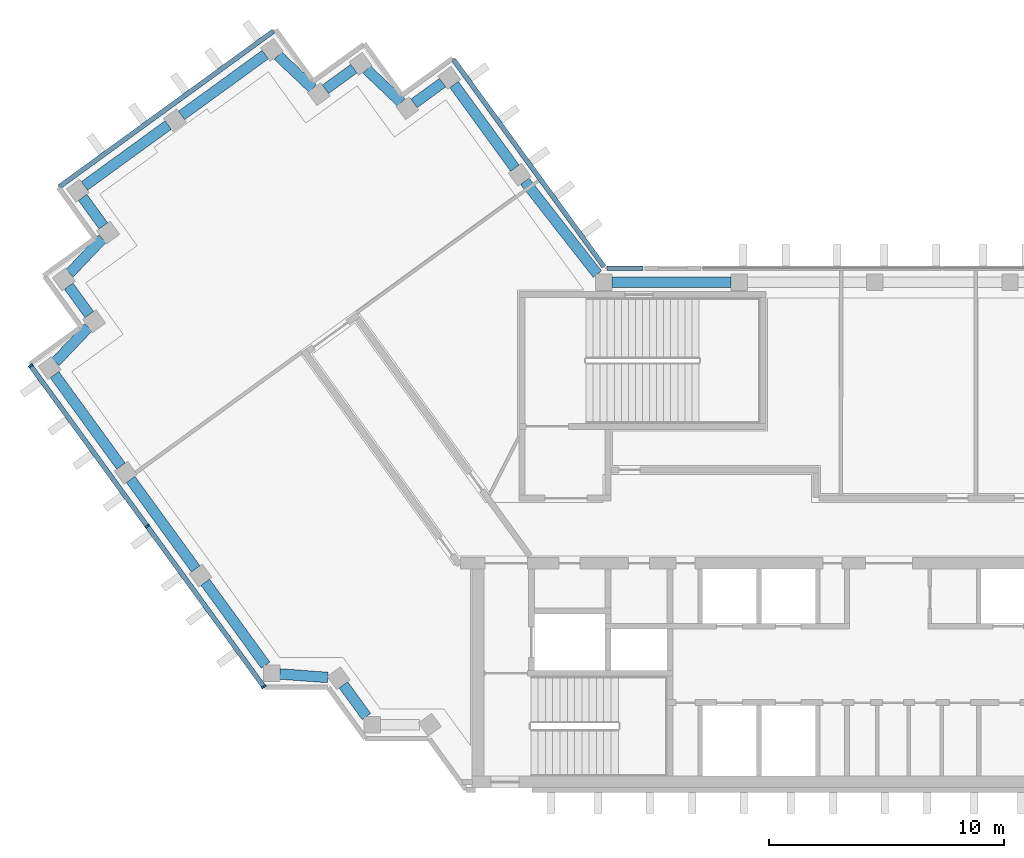
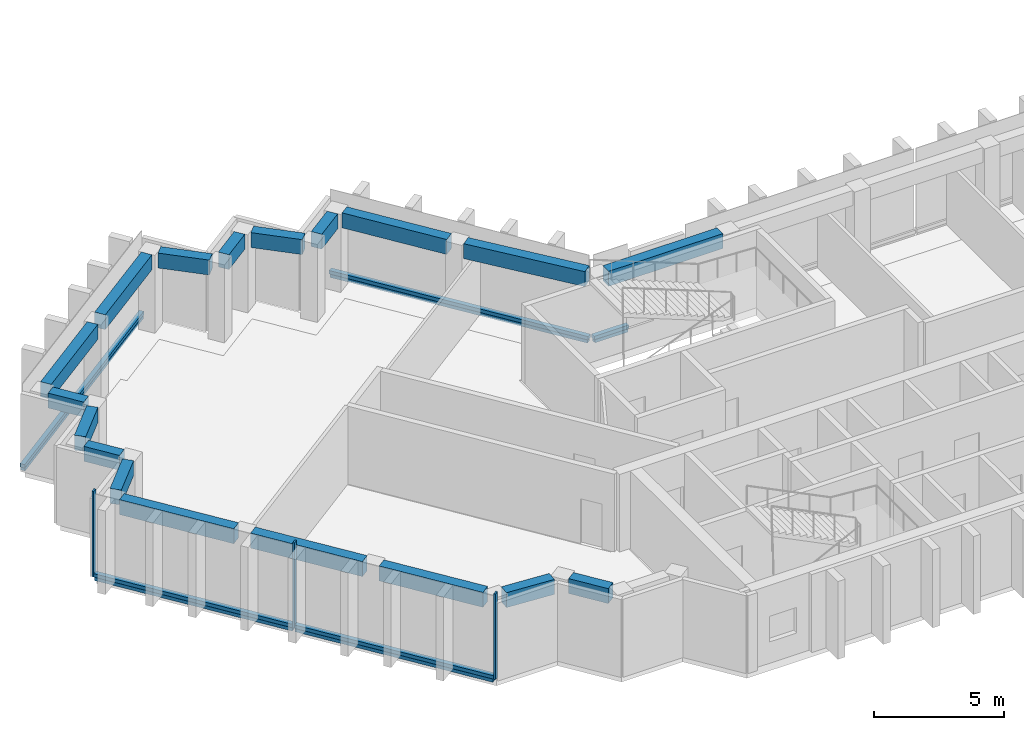
"""IFC4 building model written with IfcOpenShell, lengths in metres."""

from ifc_helpers import new_model, si_unit, direction, frame, origin, origin_2d, place, context, subcontext, project, spatial, rectangle, extrude, material, material_profile, profile_set, type_object, element, aggregate, save


model = new_model("IFC4")

# Units and contexts
model_context = context("Model", 3, precision=1e-05, world=origin(), true_north=direction((0.0, 1.0)))
body_context = subcontext(model_context, "Body", "Model", "MODEL_VIEW")
ifc_project = project(units=[si_unit("LENGTHUNIT", "METRE"), si_unit("AREAUNIT", "SQUARE_METRE"), si_unit("VOLUMEUNIT", "CUBIC_METRE"), si_unit("PLANEANGLEUNIT", "RADIAN"), si_unit("MASSUNIT", "GRAM", prefix="KILO")], contexts=[model_context])

# Site, building, storey
site_placement = place(None, origin())
site = spatial("IfcSite", under=ifc_project, at=site_placement, CompositionType="ELEMENT")
building_placement = place(site_placement, origin())
building = spatial("IfcBuilding", under=site, at=building_placement, Name="Quipu Civic Tower", CompositionType="ELEMENT")
storey_1_placement = place(building_placement, frame((0.0, 0.0, 253.0)))
storey_1 = spatial("IfcBuildingStorey", under=building, at=storey_1_placement, Name="L59", CompositionType="ELEMENT", Elevation=253.0)

# Curtain wall, members
ifc_material_1 = material(Name="Insulated glass unit", Category="glass")
curtain_wall_type_1 = type_object("IfcCurtainWallType", Name="Office curtain wall CW1", PredefinedType="NOTDEFINED", material=ifc_material_1)
curtain_wall_1_placement = place(storey_1_placement, origin())
curtain_wall_1 = element("IfcCurtainWall", 1, at=curtain_wall_1_placement, inside=storey_1, type_object=curtain_wall_type_1, Name="Office curtain wall CW1 L59 run 4", PredefinedType="NOTDEFINED")
ifc_material_2 = material(Name="Anodised aluminium", Category="aluminium")
ifc_material_profile_1 = material_profile(ifc_material_2, rectangle(XDim=0.199951171875, YDim=0.080078125, at=origin_2d()), Name="RECT 200x80")
ifc_profile_set_1 = profile_set([ifc_material_profile_1], Name="Anodised aluminium")
member_type_1 = type_object("IfcMemberType", Name="Mullion CW1", PredefinedType="MULLION", material=ifc_profile_set_1)
member_1_placement = place(storey_1_placement, frame((-38.772705078125, 6.953857421875, 0.080078125), z_axis=(0.0, 0.0, 1.0), x_axis=(0.809016278475, 0.587786237643, 0.0)))
member_1 = element("IfcMember", 2, at=member_1_placement, type_object=member_type_1, Name="CW1 mullion 1", PredefinedType="MULLION", context=body_context, shape_type="SweptSolid", body=[
    extrude(rectangle(XDim=0.199951171875, YDim=0.080078125, at=origin_2d()), origin(), (0.0, 0.0, 1.0), 4.0),
])
member_2_placement = place(storey_1_placement, frame((-33.81298828125, 0.12744140625, 0.080078125), z_axis=(0.0, 0.0, 1.0), x_axis=(0.809016278475, 0.587786237643, 0.0)))
member_2 = element("IfcMember", 3, at=member_2_placement, type_object=member_type_1, Name="CW1 mullion 2", PredefinedType="MULLION", context=body_context, shape_type="SweptSolid", body=[
    extrude(rectangle(XDim=0.199951171875, YDim=0.080078125, at=origin_2d()), origin(), (0.0, 0.0, 1.0), 4.0),
])
member_3_placement = place(storey_1_placement, frame((-28.853271484375, -6.698974609375, 0.080078125), z_axis=(0.0, 0.0, 1.0), x_axis=(0.809016278475, 0.587786237643, 0.0)))
member_3 = element("IfcMember", 4, at=member_3_placement, type_object=member_type_1, Name="CW1 mullion 3", PredefinedType="MULLION", context=body_context, shape_type="SweptSolid", body=[
    extrude(rectangle(XDim=0.199951171875, YDim=0.080078125, at=origin_2d()), origin(), (0.0, 0.0, 1.0), 4.0),
])

# Beams
ifc_material_3 = material(Name="Concrete C50/60", Category="concrete")
ifc_material_profile_2 = material_profile(ifc_material_3, rectangle(XDim=0.449951171875, YDim=0.699951171875, at=origin_2d()), Name="RC450x700")
ifc_profile_set_2 = profile_set([ifc_material_profile_2], Name="Concrete C50/60")
beam_type = type_object("IfcBeamType", Name="Spandrel beam RC 450x700 C50/60", PredefinedType="SPANDREL", material=ifc_profile_set_2)
beam_1_placement = place(storey_1_placement, frame((-18.179443359375, 15.358154296875, 3.300048828125), z_axis=(-0.588201428764, 0.808714460857, 0.0), x_axis=(-0.808714460857, -0.588201428764, 0.0)))
element("IfcBeam", 5, at=beam_1_placement, inside=storey_1, type_object=beam_type, Name="Spandrel beam L59 W-IN-01 to T-Wi.0-W22", PredefinedType="SPANDREL", context=body_context, shape_type="SweptSolid", body=[
    extrude(rectangle(XDim=0.449951171875, YDim=0.699951171875, at=origin_2d()), origin(), (0.0, 0.0, 1.0), 4.394287109375),
])
beam_2_placement = place(storey_1_placement, frame((-21.25341796875, 18.989501953125, 3.300048828125), z_axis=(-0.809461336076, -0.587173181776, 0.0), x_axis=(0.587173181776, -0.809461336076, 0.0)))
element("IfcBeam", 6, at=beam_2_placement, inside=storey_1, type_object=beam_type, Name="Spandrel beam L59 T-Wi.0-W22 to T-Wi.1-W22", PredefinedType="SPANDREL", context=body_context, shape_type="SweptSolid", body=[
    extrude(rectangle(XDim=0.449951171875, YDim=0.699951171875, at=origin_2d()), origin(), (0.0, 0.0, 1.0), 1.498046875),
])
beam_3_placement = place(storey_1_placement, frame((-23.00732421875, 18.1494140625, 3.300048828125), z_axis=(-0.72511931772, 0.6886232461, 0.0), x_axis=(-0.6886232461, -0.72511931772, 0.0)))
element("IfcBeam", 7, at=beam_3_placement, inside=storey_1, type_object=beam_type, Name="Spandrel beam L59 T-Wi.1-W22 to T-Wi.2-W22", PredefinedType="SPANDREL", context=body_context, shape_type="SweptSolid", body=[
    extrude(rectangle(XDim=0.449951171875, YDim=0.699951171875, at=origin_2d()), origin(), (0.0, 0.0, 1.0), 2.03369140625),
])
beam_4_placement = place(storey_1_placement, frame((-25.02294921875, 19.589111328125, 3.300048828125), z_axis=(-0.808644589435, -0.588297482553, 0.0), x_axis=(0.588297482553, -0.808644589435, 0.0)))
element("IfcBeam", 8, at=beam_4_placement, inside=storey_1, type_object=beam_type, Name="Spandrel beam L59 T-Wi.2-W22 to T-Wi.3-W22", PredefinedType="SPANDREL", context=body_context, shape_type="SweptSolid", body=[
    extrude(rectangle(XDim=0.449951171875, YDim=0.699951171875, at=origin_2d()), origin(), (0.0, 0.0, 1.0), 1.500244140625),
])
beam_5_placement = place(storey_1_placement, frame((-26.777099609375, 18.74560546875, 3.300048828125), z_axis=(-0.725359138958, 0.688370626574, 0.0), x_axis=(-0.688370626574, -0.725359138958, 0.0)))
element("IfcBeam", 9, at=beam_5_placement, inside=storey_1, type_object=beam_type, Name="Spandrel beam L59 T-Wi.3-W22 to T-Wi.4-W22", PredefinedType="SPANDREL", context=body_context, shape_type="SweptSolid", body=[
    extrude(rectangle(XDim=0.449951171875, YDim=0.699951171875, at=origin_2d()), origin(), (0.0, 0.0, 1.0), 2.032958984375),
])
beam_6_placement = place(storey_1_placement, frame((-28.793212890625, 20.184326171875, 3.300048828125), z_axis=(-0.809146152767, -0.587607439931, 0.0), x_axis=(0.587607439931, -0.809146152767, 0.0)))
element("IfcBeam", 10, at=beam_6_placement, inside=storey_1, type_object=beam_type, Name="Spandrel beam L59 T-Wi.4-W22 to TIP-W-01-W22", PredefinedType="SPANDREL", context=body_context, shape_type="SweptSolid", body=[
    extrude(rectangle(XDim=0.449951171875, YDim=0.699951171875, at=origin_2d()), origin(), (0.0, 0.0, 1.0), 4.400390625),
])
beam_7_placement = place(storey_1_placement, frame((-32.920166015625, 17.187255859375, 3.300048828125), z_axis=(-0.809117270763, -0.587647208921, 0.0), x_axis=(0.587647208921, -0.809117270763, 0.0)))
element("IfcBeam", 11, at=beam_7_placement, inside=storey_1, type_object=beam_type, Name="Spandrel beam L59 TIP-W-01-W22 to T-Wo.0-W22", PredefinedType="SPANDREL", context=body_context, shape_type="SweptSolid", body=[
    extrude(rectangle(XDim=0.449951171875, YDim=0.699951171875, at=origin_2d()), origin(), (0.0, 0.0, 1.0), 4.40185546875),
])
beam_8_placement = place(storey_1_placement, frame((-36.55908203125, 14.112060546875, 3.300048828125), z_axis=(0.588345920092, -0.808609348394, 0.0), x_axis=(0.808609348394, 0.588345920092, 0.0)))
element("IfcBeam", 12, at=beam_8_placement, inside=storey_1, type_object=beam_type, Name="Spandrel beam L59 T-Wo.0-W22 to T-Wo.1-W22", PredefinedType="SPANDREL", context=body_context, shape_type="SweptSolid", body=[
    extrude(rectangle(XDim=0.449951171875, YDim=0.699951171875, at=origin_2d()), origin(), (0.0, 0.0, 1.0), 1.499755859375),
])
beam_9_placement = place(storey_1_placement, frame((-35.7158203125, 12.358154296875, 3.300048828125), z_axis=(-0.688247466856, -0.725475998477, 0.0), x_axis=(0.725475998477, -0.688247466856, 0.0)))
element("IfcBeam", 13, at=beam_9_placement, inside=storey_1, type_object=beam_type, Name="Spandrel beam L59 T-Wo.1-W22 to T-Wo.2-W22", PredefinedType="SPANDREL", context=body_context, shape_type="SweptSolid", body=[
    extrude(rectangle(XDim=0.449951171875, YDim=0.699951171875, at=origin_2d()), origin(), (0.0, 0.0, 1.0), 2.032958984375),
])
beam_10_placement = place(storey_1_placement, frame((-37.154541015625, 10.341796875, 3.300048828125), z_axis=(0.587164895097, -0.809467347066, 0.0), x_axis=(0.809467347066, 0.587164895097, 0.0)))
element("IfcBeam", 14, at=beam_10_placement, inside=storey_1, type_object=beam_type, Name="Spandrel beam L59 T-Wo.2-W22 to T-Wo.3-W22", PredefinedType="SPANDREL", context=body_context, shape_type="SweptSolid", body=[
    extrude(rectangle(XDim=0.449951171875, YDim=0.699951171875, at=origin_2d()), origin(), (0.0, 0.0, 1.0), 1.500244140625),
])
beam_11_placement = place(storey_1_placement, frame((-36.3134765625, 8.586181640625, 3.300048828125), z_axis=(-0.689175330605, -0.724594620244, 0.0), x_axis=(0.724594620244, -0.689175330605, 0.0)))
element("IfcBeam", 15, at=beam_11_placement, inside=storey_1, type_object=beam_type, Name="Spandrel beam L59 T-Wo.3-W22 to T-Wo.4-W22", PredefinedType="SPANDREL", context=body_context, shape_type="SweptSolid", body=[
    extrude(rectangle(XDim=0.449951171875, YDim=0.699951171875, at=origin_2d()), origin(), (0.0, 0.0, 1.0), 2.033447265625),
])
beam_12_placement = place(storey_1_placement, frame((-37.754150390625, 6.57177734375, 3.300048828125), z_axis=(0.587905928359, -0.808929304328, 0.0), x_axis=(0.808929304328, 0.587905928359, 0.0)))
element("IfcBeam", 16, at=beam_12_placement, inside=storey_1, type_object=beam_type, Name="Spandrel beam L59 T-Wo.4-W22 to W-OUT-02", PredefinedType="SPANDREL", context=body_context, shape_type="SweptSolid", body=[
    extrude(rectangle(XDim=0.449951171875, YDim=0.699951171875, at=origin_2d()), origin(), (0.0, 0.0, 1.0), 4.80712890625),
])
beam_13_placement = place(storey_1_placement, frame((-34.5166015625, 2.116943359375, 3.300048828125), z_axis=(0.587788656305, -0.809014521204, 0.0), x_axis=(0.809014521204, 0.587788656305, 0.0)))
element("IfcBeam", 17, at=beam_13_placement, inside=storey_1, type_object=beam_type, Name="Spandrel beam L59 W-OUT-02 to W-OUT-01", PredefinedType="SPANDREL", context=body_context, shape_type="SweptSolid", body=[
    extrude(rectangle(XDim=0.449951171875, YDim=0.699951171875, at=origin_2d()), origin(), (0.0, 0.0, 1.0), 4.7001953125),
])
beam_14_placement = place(storey_1_placement, frame((-31.342529296875, -2.251953125, 3.300048828125), z_axis=(0.58777550284, -0.809024077677, 0.0), x_axis=(0.809024077677, 0.58777550284, 0.0)))
element("IfcBeam", 18, at=beam_14_placement, inside=storey_1, type_object=beam_type, Name="Spandrel beam L59 W-OUT-01 to J-Wo.0", PredefinedType="SPANDREL", context=body_context, shape_type="SweptSolid", body=[
    extrude(rectangle(XDim=0.449951171875, YDim=0.699951171875, at=origin_2d()), origin(), (0.0, 0.0, 1.0), 4.36083984375),
])
beam_15_placement = place(storey_1_placement, frame((-28.175048828125, -6.155517578125, 3.300048828125), z_axis=(0.99737333325, -0.072432272649, 0.0), x_axis=(0.072432272649, 0.99737333325, 0.0)))
element("IfcBeam", 19, at=beam_15_placement, inside=storey_1, type_object=beam_type, Name="Spandrel beam L59 J-Wo.0 to J-Wo.1", PredefinedType="SPANDREL", context=body_context, shape_type="SweptSolid", body=[
    extrude(rectangle(XDim=0.449951171875, YDim=0.699951171875, at=origin_2d()), origin(), (0.0, 0.0, 1.0), 2.04931640625),
])
beam_16_placement = place(storey_1_placement, frame((-25.468505859375, -6.6201171875, 3.300048828125), z_axis=(0.588407300614, -0.80856468423, 0.0), x_axis=(0.80856468423, 0.588407300614, 0.0)))
element("IfcBeam", 20, at=beam_16_placement, inside=storey_1, type_object=beam_type, Name="Spandrel beam L59 J-Wo.1 to J-Wo.2", PredefinedType="SPANDREL", context=body_context, shape_type="SweptSolid", body=[
    extrude(rectangle(XDim=0.449951171875, YDim=0.699951171875, at=origin_2d()), origin(), (0.0, 0.0, 1.0), 1.663330078125),
])
beam_17_placement = place(storey_1_placement, frame((-8.987060546875, 10.5, 3.300048828125), z_axis=(-1.0, 0.0, 0.0), x_axis=(0.0, -1.0, 0.0)))
element("IfcBeam", 21, at=beam_17_placement, inside=storey_1, type_object=beam_type, Name="Spandrel beam L59 FRONT-04 to J-Wi.0", PredefinedType="SPANDREL", context=body_context, shape_type="SweptSolid", body=[
    extrude(rectangle(XDim=0.449951171875, YDim=0.699951171875, at=origin_2d()), origin(), (0.0, 0.0, 1.0), 5.05810546875),
])
beam_18_placement = place(storey_1_placement, frame((-14.6689453125, 10.85009765625, 3.300048828125), z_axis=(-0.616106034519, 0.787663223865, 0.0), x_axis=(-0.787663223865, -0.616106034519, 0.0)))
element("IfcBeam", 22, at=beam_18_placement, inside=storey_1, type_object=beam_type, Name="Spandrel beam L59 J-Wi.0 to W-IN-01", PredefinedType="SPANDREL", context=body_context, shape_type="SweptSolid", body=[
    extrude(rectangle(XDim=0.449951171875, YDim=0.699951171875, at=origin_2d()), origin(), (0.0, 0.0, 1.0), 5.013427734375),
])

# Member
ifc_material_4 = material(Name="Anodised aluminium", Category="aluminium")
ifc_material_profile_3 = material_profile(ifc_material_4, rectangle(XDim=0.199951171875, YDim=0.159912109375, at=origin_2d()), Name="RECT 200x160")
ifc_profile_set_3 = profile_set([ifc_material_profile_3], Name="Anodised aluminium")
member_type_2 = type_object("IfcMemberType", Name="Transom CW1", PredefinedType="USERDEFINED", material=ifc_profile_set_3)
member_4_placement = place(storey_1_placement, frame((-38.7490234375, 6.92138671875, 0.159912109375), z_axis=(0.587779098815, -0.809021465102, 0.0), x_axis=(0.809021465102, 0.587779098815, 0.0)))
member_4 = element("IfcMember", 23, at=member_4_placement, type_object=member_type_2, Name="CW1 transom 1.1", ObjectType="TRANSOM", PredefinedType="USERDEFINED", context=body_context, shape_type="SweptSolid", body=[
    extrude(rectangle(XDim=0.199951171875, YDim=0.159912109375, at=origin_2d()), origin(), (0.0, 0.0, 1.0), 8.35791015625),
])

member_5_placement = place(storey_1_placement, frame((-33.78955078125, 0.094970703125, 0.159912109375), z_axis=(0.587812107925, -0.808997481935, 0.0), x_axis=(0.808997481935, 0.587812107925, 0.0)))
member_5 = element("IfcMember", 24, at=member_5_placement, type_object=member_type_2, Name="CW1 transom 2.1", ObjectType="TRANSOM", PredefinedType="USERDEFINED", context=body_context, shape_type="SweptSolid", body=[
    extrude(rectangle(XDim=0.199951171875, YDim=0.159912109375, at=origin_2d()), origin(), (0.0, 0.0, 1.0), 8.35791015625),
])

aggregate(curtain_wall_1, [member_1, member_2, member_3, member_4, member_5])

# Storey
storey_2_placement = place(building_placement, frame((0.0, 0.0, 257.0)))
storey_2 = spatial("IfcBuildingStorey", under=building, at=storey_2_placement, Name="L60", CompositionType="ELEMENT", Elevation=257.0)

# Curtain wall, member
curtain_wall_2_placement = place(storey_2_placement, origin())
curtain_wall_2 = element("IfcCurtainWall", 25, at=curtain_wall_2_placement, inside=storey_2, type_object=curtain_wall_type_1, Name="Office curtain wall CW1 L59 run 28", PredefinedType="NOTDEFINED")
member_6_placement = place(storey_1_placement, frame((-12.735107421875, 11.10009765625, 0.159912109375), z_axis=(-1.0, 0.0, 0.0), x_axis=(0.0, -1.0, 0.0)))
member_6 = element("IfcMember", 26, at=member_6_placement, inside=storey_1, type_object=member_type_2, Name="CW1 transom 1.1", ObjectType="TRANSOM", PredefinedType="USERDEFINED", context=body_context, shape_type="SweptSolid", body=[
    extrude(rectangle(XDim=0.199951171875, YDim=0.159912109375, at=origin_2d()), origin(), (0.0, 0.0, 1.0), 1.529052734375),
])
aggregate(curtain_wall_2, [member_6])

curtain_wall_3_placement = place(storey_2_placement, origin())
curtain_wall_3 = element("IfcCurtainWall", 27, at=curtain_wall_3_placement, inside=storey_2, type_object=curtain_wall_type_1, Name="Office curtain wall CW1 L59 run 29", PredefinedType="NOTDEFINED")
member_7_placement = place(storey_1_placement, frame((-14.39111328125, 11.164794921875, 0.159912109375), z_axis=(-0.587796859727, 0.809008560953, 0.0), x_axis=(-0.809008560953, -0.587796859727, 0.0)))
member_7 = element("IfcMember", 28, at=member_7_placement, inside=storey_1, type_object=member_type_2, Name="CW1 transom 1.1", ObjectType="TRANSOM", PredefinedType="USERDEFINED", context=body_context, shape_type="SweptSolid", body=[
    extrude(rectangle(XDim=0.199951171875, YDim=0.159912109375, at=origin_2d()), origin(), (0.0, 0.0, 1.0), 10.88427734375),
])
aggregate(curtain_wall_3, [member_7])

curtain_wall_4_placement = place(storey_2_placement, origin())
curtain_wall_4 = element("IfcCurtainWall", 29, at=curtain_wall_4_placement, inside=storey_2, type_object=curtain_wall_type_1, Name="Office curtain wall CW1 L59 run 34", PredefinedType="NOTDEFINED")
member_8_placement = place(storey_1_placement, frame((-28.443359375, 21.1826171875, 0.159912109375), z_axis=(-0.809022463805, -0.587777724194, 0.0), x_axis=(0.587777724194, -0.809022463805, 0.0)))
member_8 = element("IfcMember", 30, at=member_8_placement, inside=storey_1, type_object=member_type_2, Name="CW1 transom 1.1", ObjectType="TRANSOM", PredefinedType="USERDEFINED", context=body_context, shape_type="SweptSolid", body=[
    extrude(rectangle(XDim=0.199951171875, YDim=0.159912109375, at=origin_2d()), origin(), (0.0, 0.0, 1.0), 11.240234375),
])
aggregate(curtain_wall_4, [member_8])

# Storey
storey_3_placement = place(building_placement, frame((0.0, 0.0, 248.0)))
storey_3 = spatial("IfcBuildingStorey", under=building, at=storey_3_placement, Name="L58", CompositionType="ELEMENT", Elevation=248.0)

# Curtain wall, member
ifc_material_5 = material(Name="Insulated glass unit", Category="glass")
curtain_wall_type_2 = type_object("IfcCurtainWallType", Name="Sky lobby and refuge curtain wall CW5", PredefinedType="NOTDEFINED", material=ifc_material_5)
curtain_wall_5_placement = place(storey_3_placement, origin())
curtain_wall_5 = element("IfcCurtainWall", 31, at=curtain_wall_5_placement, inside=storey_3, type_object=curtain_wall_type_2, Name="Sky lobby and refuge curtain wall CW5 L58 run 1", PredefinedType="NOTDEFINED")
ifc_material_6 = material(Name="Anodised aluminium", Category="aluminium")
ifc_material_profile_4 = material_profile(ifc_material_6, rectangle(XDim=0.199951171875, YDim=0.14990234375, at=origin_2d()), Name="RECT 200x150")
ifc_profile_set_4 = profile_set([ifc_material_profile_4], Name="Anodised aluminium")
member_type_3 = type_object("IfcMemberType", Name="Transom CW5", PredefinedType="USERDEFINED", material=ifc_profile_set_4)
member_9_placement = place(storey_1_placement, frame((-14.408935546875, 11.18896484375, 0.0), z_axis=(-0.587780027336, 0.809020790503, 0.0), x_axis=(-0.809020790503, -0.587780027336, 0.0)))
member_9 = element("IfcMember", 32, at=member_9_placement, inside=storey_1, type_object=member_type_3, Name="CW5 transom 1.3", ObjectType="TRANSOM", PredefinedType="USERDEFINED", context=body_context, shape_type="SweptSolid", body=[
    extrude(rectangle(XDim=0.199951171875, YDim=0.14990234375, at=origin_2d()), origin(), (0.0, 0.0, 1.0), 10.82421875),
])
aggregate(curtain_wall_5, [member_9])

curtain_wall_6_placement = place(storey_3_placement, origin())
curtain_wall_6 = element("IfcCurtainWall", 33, at=curtain_wall_6_placement, inside=storey_3, type_object=curtain_wall_type_2, Name="Sky lobby and refuge curtain wall CW5 L58 run 6", PredefinedType="NOTDEFINED")
member_10_placement = place(storey_1_placement, frame((-28.4677734375, 21.1650390625, 0.0), z_axis=(-0.809008905304, -0.587796385782, 0.0), x_axis=(0.587796385782, -0.809008905304, 0.0)))
member_10 = element("IfcMember", 34, at=member_10_placement, inside=storey_1, type_object=member_type_3, Name="CW5 transom 1.3", ObjectType="TRANSOM", PredefinedType="USERDEFINED", context=body_context, shape_type="SweptSolid", body=[
    extrude(rectangle(XDim=0.199951171875, YDim=0.14990234375, at=origin_2d()), origin(), (0.0, 0.0, 1.0), 11.179931640625),
])
aggregate(curtain_wall_6, [member_10])

# Curtain wall, members
curtain_wall_7_placement = place(storey_3_placement, origin())
curtain_wall_7 = element("IfcCurtainWall", 35, at=curtain_wall_7_placement, inside=storey_3, type_object=curtain_wall_type_2, Name="Sky lobby and refuge curtain wall CW5 L58 run 11", PredefinedType="NOTDEFINED")
member_11_placement = place(storey_1_placement, frame((-38.7314453125, 6.897216796875, 0.0), z_axis=(0.587783964052, -0.809017930335, 0.0), x_axis=(0.809017930335, 0.587783964052, 0.0)))
member_11 = element("IfcMember", 36, at=member_11_placement, inside=storey_1, type_object=member_type_3, Name="CW5 transom 1.3", ObjectType="TRANSOM", PredefinedType="USERDEFINED", context=body_context, shape_type="SweptSolid", body=[
    extrude(rectangle(XDim=0.199951171875, YDim=0.14990234375, at=origin_2d()), origin(), (0.0, 0.0, 1.0), 8.31298828125),
])
member_12_placement = place(storey_1_placement, frame((-33.780517578125, 0.0830078125, 0.0), z_axis=(0.587764741485, -0.809031895952, 0.0), x_axis=(0.809031895952, 0.587764741485, 0.0)))
member_12 = element("IfcMember", 37, at=member_12_placement, inside=storey_1, type_object=member_type_3, Name="CW5 transom 2.3", ObjectType="TRANSOM", PredefinedType="USERDEFINED", context=body_context, shape_type="SweptSolid", body=[
    extrude(rectangle(XDim=0.199951171875, YDim=0.14990234375, at=origin_2d()), origin(), (0.0, 0.0, 1.0), 8.312744140625),
])
aggregate(curtain_wall_7, [member_11, member_12])

# Curtain wall, member
curtain_wall_8_placement = place(storey_3_placement, origin())
curtain_wall_8 = element("IfcCurtainWall", 38, at=curtain_wall_8_placement, inside=storey_3, type_object=curtain_wall_type_2, Name="Sky lobby and refuge curtain wall CW5 L58 run 38", PredefinedType="NOTDEFINED")
member_13_placement = place(storey_1_placement, frame((-12.764892578125, 11.10009765625, 0.0), z_axis=(-1.0, 0.0, 0.0), x_axis=(0.0, -1.0, 0.0)))
member_13 = element("IfcMember", 39, at=member_13_placement, inside=storey_1, type_object=member_type_3, Name="CW5 transom 1.3", ObjectType="TRANSOM", PredefinedType="USERDEFINED", context=body_context, shape_type="SweptSolid", body=[
    extrude(rectangle(XDim=0.199951171875, YDim=0.14990234375, at=origin_2d()), origin(), (0.0, 0.0, 1.0), 1.46923828125),
])
aggregate(curtain_wall_8, [member_13])

save(model, "model.ifc")
